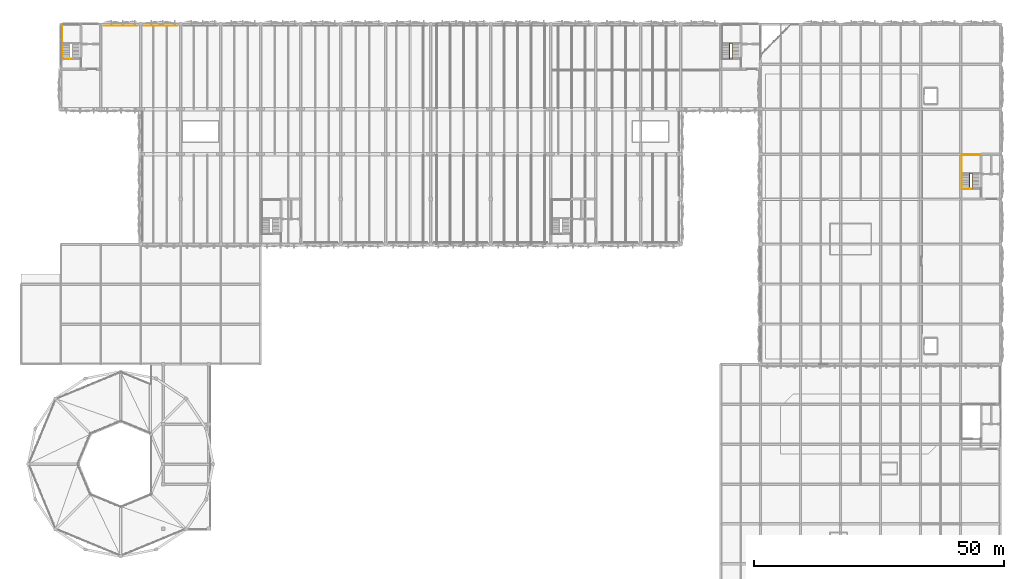
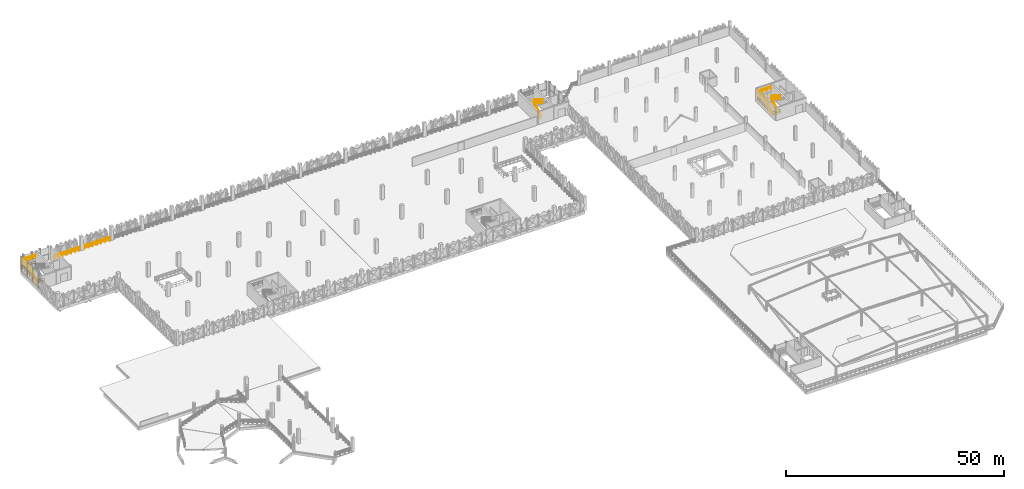
# One storey, part 74 of 76: 8 railings.
"""IFC4 building model written with IfcOpenShell, lengths in metres."""

from ifc_helpers import new_model, si_unit, derived_unit, direction, frame, origin, origin_2d, place, context, subcontext, project, spatial, circle, extrude, material, type_object, element, save


model = new_model("IFC4")

# Units and contexts
model_context = context("Model", 3, precision=1e-05, world=origin(), true_north=direction((0.0, 1.0)))
body_context = subcontext(model_context, "Body", "Model", "MODEL_VIEW")
ifc_project = project(units=[si_unit("LENGTHUNIT", "METRE"), si_unit("AREAUNIT", "SQUARE_METRE"), si_unit("VOLUMEUNIT", "CUBIC_METRE"), si_unit("PLANEANGLEUNIT", "RADIAN"), si_unit("MASSUNIT", "GRAM", prefix="KILO"), si_unit("THERMODYNAMICTEMPERATUREUNIT", "KELVIN"), derived_unit("THERMALTRANSMITTANCEUNIT", [(si_unit("POWERUNIT", "WATT"), 1), (si_unit("AREAUNIT", "SQUARE_METRE"), -1), (si_unit("THERMODYNAMICTEMPERATUREUNIT", "KELVIN"), -1)])], contexts=[model_context])

# Site, building, storey
site_placement = place(None, origin())
site = spatial("IfcSite", under=ifc_project, at=site_placement, CompositionType="ELEMENT")
building_placement = place(site_placement, origin())
building = spatial("IfcBuilding", under=site, at=building_placement, Name="Haiyu Intermodal Mobility Hub", CompositionType="ELEMENT")
storey_placement = place(building_placement, frame((0.0, 0.0, 17.300048828125)))
storey = spatial("IfcBuildingStorey", under=building, at=storey_placement, Name="L04", CompositionType="ELEMENT", Elevation=17.300048828125)

# Railings
ifc_material = material(Name="Steel Q355C", Category="steel")
railing_type_1 = type_object("IfcRailingType", Name="RAL-GR01", PredefinedType="GUARDRAIL", material=ifc_material)
railing_1_placement = place(storey_placement, frame((37.300048828125, 147.659912109375, 0.0)))
element("IfcRailing", 1, at=railing_1_placement, inside=storey, type_object=railing_type_1, Name="RAL-CAR-N-0012", PredefinedType="GUARDRAIL", context=body_context, shape_type="SweptSolid", body=[
    extrude(circle(Radius=0.02392578125, at=origin_2d()), frame((-0.030029296875, 0.0, 1.17578125), z_axis=(-1.0, 0.0, 0.0), x_axis=(0.0, -1.0, 0.0)), (0.0, 0.0, 1.0), 6.5400390625),
    extrude(circle(Radius=0.02392578125, at=origin_2d()), frame((-0.037353515625, 0.0, 0.60009765625), z_axis=(-1.0, 0.0, 0.0), x_axis=(0.0, -1.0, 0.0)), (0.0, 0.0, 1.0), 1.025390625),
    extrude(circle(Radius=0.02392578125, at=origin_2d()), frame((-1.13720703125, 0.0, 0.60009765625), z_axis=(-1.0, 0.0, 0.0), x_axis=(0.0, -1.0, 0.0)), (0.0, 0.0, 1.0), 1.025390625),
    extrude(circle(Radius=0.02392578125, at=origin_2d()), frame((-2.2373046875, 0.0, 0.60009765625), z_axis=(-1.0, 0.0, 0.0), x_axis=(0.0, -1.0, 0.0)), (0.0, 0.0, 1.0), 1.025390625),
    extrude(circle(Radius=0.02392578125, at=origin_2d()), frame((-3.33740234375, 0.0, 0.60009765625), z_axis=(-1.0, 0.0, 0.0), x_axis=(0.0, -1.0, 0.0)), (0.0, 0.0, 1.0), 1.025390625),
    extrude(circle(Radius=0.02392578125, at=origin_2d()), frame((-4.437255859375, 0.0, 0.60009765625), z_axis=(-1.0, 0.0, 0.0), x_axis=(0.0, -1.0, 0.0)), (0.0, 0.0, 1.0), 1.025390625),
    extrude(circle(Radius=0.02392578125, at=origin_2d()), frame((-5.537353515625, 0.0, 0.60009765625), z_axis=(-1.0, 0.0, 0.0), x_axis=(0.0, -1.0, 0.0)), (0.0, 0.0, 1.0), 1.025390625),
    extrude(circle(Radius=0.02099609375, at=origin_2d()), origin(), (0.0, 0.0, 1.0), 1.143798828125),
    extrude(circle(Radius=0.02099609375, at=origin_2d()), frame((-1.10009765625, 0.0, 0.0)), (0.0, 0.0, 1.0), 1.143798828125),
    extrude(circle(Radius=0.02099609375, at=origin_2d()), frame((-2.199951171875, 0.0, 0.0)), (0.0, 0.0, 1.0), 1.143798828125),
    extrude(circle(Radius=0.02099609375, at=origin_2d()), frame((-3.300048828125, 0.0, 0.0)), (0.0, 0.0, 1.0), 1.143798828125),
    extrude(circle(Radius=0.02099609375, at=origin_2d()), frame((-4.400146484375, 0.0, 0.0)), (0.0, 0.0, 1.0), 1.143798828125),
    extrude(circle(Radius=0.02099609375, at=origin_2d()), frame((-5.5, 0.0, 0.0)), (0.0, 0.0, 1.0), 1.143798828125),
    extrude(circle(Radius=0.02099609375, at=origin_2d()), frame((-6.60009765625, 0.0, 0.0)), (0.0, 0.0, 1.0), 1.143798828125),
])
railing_2_placement = place(storey_placement, frame((45.300048828125, 147.659912109375, 0.0)))
element("IfcRailing", 2, at=railing_2_placement, inside=storey, type_object=railing_type_1, Name="RAL-CAR-N-0017", PredefinedType="GUARDRAIL", context=body_context, shape_type="SweptSolid", body=[
    extrude(circle(Radius=0.02392578125, at=origin_2d()), frame((-0.030029296875, 0.0, 1.17578125), z_axis=(-1.0, 0.0, 0.0), x_axis=(0.0, -1.0, 0.0)), (0.0, 0.0, 1.0), 6.5400390625),
    extrude(circle(Radius=0.02392578125, at=origin_2d()), frame((-0.037353515625, 0.0, 0.60009765625), z_axis=(-1.0, 0.0, 0.0), x_axis=(0.0, -1.0, 0.0)), (0.0, 0.0, 1.0), 1.025390625),
    extrude(circle(Radius=0.02392578125, at=origin_2d()), frame((-1.13720703125, 0.0, 0.60009765625), z_axis=(-1.0, 0.0, 0.0), x_axis=(0.0, -1.0, 0.0)), (0.0, 0.0, 1.0), 1.025390625),
    extrude(circle(Radius=0.02392578125, at=origin_2d()), frame((-2.2373046875, 0.0, 0.60009765625), z_axis=(-1.0, 0.0, 0.0), x_axis=(0.0, -1.0, 0.0)), (0.0, 0.0, 1.0), 1.025390625),
    extrude(circle(Radius=0.02392578125, at=origin_2d()), frame((-3.33740234375, 0.0, 0.60009765625), z_axis=(-1.0, 0.0, 0.0), x_axis=(0.0, -1.0, 0.0)), (0.0, 0.0, 1.0), 1.025390625),
    extrude(circle(Radius=0.02392578125, at=origin_2d()), frame((-4.437255859375, 0.0, 0.60009765625), z_axis=(-1.0, 0.0, 0.0), x_axis=(0.0, -1.0, 0.0)), (0.0, 0.0, 1.0), 1.025390625),
    extrude(circle(Radius=0.02392578125, at=origin_2d()), frame((-5.537353515625, 0.0, 0.60009765625), z_axis=(-1.0, 0.0, 0.0), x_axis=(0.0, -1.0, 0.0)), (0.0, 0.0, 1.0), 1.025390625),
    extrude(circle(Radius=0.02099609375, at=origin_2d()), origin(), (0.0, 0.0, 1.0), 1.143798828125),
    extrude(circle(Radius=0.02099609375, at=origin_2d()), frame((-1.10009765625, 0.0, 0.0)), (0.0, 0.0, 1.0), 1.143798828125),
    extrude(circle(Radius=0.02099609375, at=origin_2d()), frame((-2.199951171875, 0.0, 0.0)), (0.0, 0.0, 1.0), 1.143798828125),
    extrude(circle(Radius=0.02099609375, at=origin_2d()), frame((-3.300048828125, 0.0, 0.0)), (0.0, 0.0, 1.0), 1.143798828125),
    extrude(circle(Radius=0.02099609375, at=origin_2d()), frame((-4.400146484375, 0.0, 0.0)), (0.0, 0.0, 1.0), 1.143798828125),
    extrude(circle(Radius=0.02099609375, at=origin_2d()), frame((-5.5, 0.0, 0.0)), (0.0, 0.0, 1.0), 1.143798828125),
    extrude(circle(Radius=0.02099609375, at=origin_2d()), frame((-6.60009765625, 0.0, 0.0)), (0.0, 0.0, 1.0), 1.143798828125),
])
railing_type_2 = type_object("IfcRailingType", Name="RAL-GR03", PredefinedType="GUARDRAIL", material=ifc_material)
railing_3_placement = place(storey_placement, frame((24.31005859375, 141.010009765625, 0.0)))
element("IfcRailing", 3, at=railing_3_placement, inside=storey, type_object=railing_type_2, Name="Stair Shaft Floor Guard STR-C3-L03", PredefinedType="GUARDRAIL", context=body_context, shape_type="SweptSolid", body=[
    extrude(circle(Radius=0.02392578125, at=origin_2d()), frame((-0.030029296875, 0.0, 1.09619140625), z_axis=(-1.0, 0.0, 0.0), x_axis=(0.0, -1.0, 0.0)), (0.0, 0.0, 1.0), 2.030029296875),
    extrude(circle(Radius=0.02392578125, at=origin_2d()), frame((-0.037353515625, 0.0, 0.56005859375), z_axis=(-1.0, 0.0, 0.0), x_axis=(0.0, -1.0, 0.0)), (0.0, 0.0, 1.0), 0.970458984375),
    extrude(circle(Radius=0.02392578125, at=origin_2d()), frame((-1.082275390625, 0.0, 0.56005859375), z_axis=(-1.0, 0.0, 0.0), x_axis=(0.0, -1.0, 0.0)), (0.0, 0.0, 1.0), 0.970458984375),
    extrude(circle(Radius=0.02392578125, at=origin_2d()), frame((-2.090087890625, 0.030029296875, 1.09619140625), z_axis=(0.0, 1.0, 0.0), x_axis=(-1.0, 0.0, 0.0)), (0.0, 0.0, 1.0), 6.8798828125),
    extrude(circle(Radius=0.02392578125, at=origin_2d()), frame((-2.090087890625, 0.037353515625, 0.56005859375), z_axis=(0.0, 1.0, 0.0), x_axis=(-1.0, 0.0, 0.0)), (0.0, 0.0, 1.0), 1.08203125),
    extrude(circle(Radius=0.02392578125, at=origin_2d()), frame((-2.090087890625, 1.19384765625, 0.56005859375), z_axis=(0.0, 1.0, 0.0), x_axis=(-1.0, 0.0, 0.0)), (0.0, 0.0, 1.0), 1.08203125),
    extrude(circle(Radius=0.02392578125, at=origin_2d()), frame((-2.090087890625, 2.3505859375, 0.56005859375), z_axis=(0.0, 1.0, 0.0), x_axis=(-1.0, 0.0, 0.0)), (0.0, 0.0, 1.0), 1.08203125),
    extrude(circle(Radius=0.02392578125, at=origin_2d()), frame((-2.090087890625, 3.50732421875, 0.56005859375), z_axis=(0.0, 1.0, 0.0), x_axis=(-1.0, 0.0, 0.0)), (0.0, 0.0, 1.0), 1.08203125),
    extrude(circle(Radius=0.02392578125, at=origin_2d()), frame((-2.090087890625, 4.663818359375, 0.56005859375), z_axis=(0.0, 1.0, 0.0), x_axis=(-1.0, 0.0, 0.0)), (0.0, 0.0, 1.0), 1.08203125),
    extrude(circle(Radius=0.02392578125, at=origin_2d()), frame((-2.090087890625, 5.820556640625, 0.56005859375), z_axis=(0.0, 1.0, 0.0), x_axis=(-1.0, 0.0, 0.0)), (0.0, 0.0, 1.0), 1.08203125),
    extrude(circle(Radius=0.02392578125, at=origin_2d()), frame((-2.06005859375, 6.93994140625, 1.09619140625), z_axis=(1.0, 0.0, 0.0), x_axis=(0.0, 1.0, 0.0)), (0.0, 0.0, 1.0), 3.590087890625),
    extrude(circle(Radius=0.02392578125, at=origin_2d()), frame((-2.052734375, 6.93994140625, 0.56005859375), z_axis=(1.0, 0.0, 0.0), x_axis=(0.0, 1.0, 0.0)), (0.0, 0.0, 1.0), 0.837890625),
    extrude(circle(Radius=0.02392578125, at=origin_2d()), frame((-1.14013671875, 6.93994140625, 0.56005859375), z_axis=(1.0, 0.0, 0.0), x_axis=(0.0, 1.0, 0.0)), (0.0, 0.0, 1.0), 0.837890625),
    extrude(circle(Radius=0.02392578125, at=origin_2d()), frame((-0.227783203125, 6.93994140625, 0.56005859375), z_axis=(1.0, 0.0, 0.0), x_axis=(0.0, 1.0, 0.0)), (0.0, 0.0, 1.0), 0.837890625),
    extrude(circle(Radius=0.02392578125, at=origin_2d()), frame((0.684814453125, 6.93994140625, 0.56005859375), z_axis=(1.0, 0.0, 0.0), x_axis=(0.0, 1.0, 0.0)), (0.0, 0.0, 1.0), 0.837890625),
    extrude(circle(Radius=0.02099609375, at=origin_2d()), origin(), (0.0, 0.0, 1.0), 1.06396484375),
    extrude(circle(Radius=0.02099609375, at=origin_2d()), frame((-1.044921875, 0.0, 0.0)), (0.0, 0.0, 1.0), 1.06396484375),
    extrude(circle(Radius=0.02099609375, at=origin_2d()), frame((-2.090087890625, 0.0, 0.0)), (0.0, 0.0, 1.0), 1.06396484375),
    extrude(circle(Radius=0.02099609375, at=origin_2d()), frame((-2.090087890625, 1.15673828125, 0.0)), (0.0, 0.0, 1.0), 1.06396484375),
    extrude(circle(Radius=0.02099609375, at=origin_2d()), frame((-2.090087890625, 2.313232421875, 0.0)), (0.0, 0.0, 1.0), 1.06396484375),
    extrude(circle(Radius=0.02099609375, at=origin_2d()), frame((-2.090087890625, 3.469970703125, 0.0)), (0.0, 0.0, 1.0), 1.06396484375),
    extrude(circle(Radius=0.02099609375, at=origin_2d()), frame((-2.090087890625, 4.626708984375, 0.0)), (0.0, 0.0, 1.0), 1.06396484375),
    extrude(circle(Radius=0.02099609375, at=origin_2d()), frame((-2.090087890625, 5.783203125, 0.0)), (0.0, 0.0, 1.0), 1.06396484375),
    extrude(circle(Radius=0.02099609375, at=origin_2d()), frame((-2.090087890625, 6.93994140625, 0.0)), (0.0, 0.0, 1.0), 1.06396484375),
    extrude(circle(Radius=0.02099609375, at=origin_2d()), frame((-1.177490234375, 6.93994140625, 0.0)), (0.0, 0.0, 1.0), 1.06396484375),
    extrude(circle(Radius=0.02099609375, at=origin_2d()), frame((-0.26513671875, 6.93994140625, 0.0)), (0.0, 0.0, 1.0), 1.06396484375),
    extrude(circle(Radius=0.02099609375, at=origin_2d()), frame((0.6474609375, 6.93994140625, 0.0)), (0.0, 0.0, 1.0), 1.06396484375),
    extrude(circle(Radius=0.02099609375, at=origin_2d()), frame((1.56005859375, 6.93994140625, 0.0)), (0.0, 0.0, 1.0), 1.06396484375),
])
railing_4_placement = place(storey_placement, frame((22.25, 141.050048828125, 0.0)))
element("IfcRailing", 4, at=railing_4_placement, inside=storey, type_object=railing_type_2, Name="Stair Outer Guard STR-C3-L04", PredefinedType="GUARDRAIL", context=body_context, shape_type="SweptSolid", body=[
    extrude(circle(Radius=0.02392578125, at=origin_2d()), frame((0.0, 0.025390625, 1.112060546875), z_axis=(0.0, 0.844894753029, 0.534932571736), x_axis=(-1.0, 0.0, 0.0)), (0.0, 0.0, 1.0), 3.585205078125),
    extrude(circle(Radius=0.02392578125, at=origin_2d()), frame((0.0, 0.031494140625, 0.580078125), z_axis=(0.0, 0.844894753029, 0.534932571736), x_axis=(-1.0, 0.0, 0.0)), (0.0, 0.0, 1.0), 0.836669921875),
    extrude(circle(Radius=0.02392578125, at=origin_2d()), frame((0.0, 0.801513671875, 1.0673828125), z_axis=(0.0, 0.844894753029, 0.534932571736), x_axis=(-1.0, 0.0, 0.0)), (0.0, 0.0, 1.0), 0.836669921875),
    extrude(circle(Radius=0.02392578125, at=origin_2d()), frame((0.0, 1.571533203125, 1.554931640625), z_axis=(0.0, 0.844894753029, 0.534932571736), x_axis=(-1.0, 0.0, 0.0)), (0.0, 0.0, 1.0), 0.836669921875),
    extrude(circle(Radius=0.02392578125, at=origin_2d()), frame((0.0, 2.34130859375, 2.04248046875), z_axis=(0.0, 0.844894753029, 0.534932571736), x_axis=(-1.0, 0.0, 0.0)), (0.0, 0.0, 1.0), 0.836669921875),
    extrude(circle(Radius=0.02392578125, at=origin_2d()), frame((0.0, 3.10986328125, 3.0458984375), z_axis=(0.0, 1.0, 0.0), x_axis=(-1.0, 0.0, 0.0)), (0.0, 0.0, 1.0), 3.570068359375),
    extrude(circle(Radius=0.02392578125, at=origin_2d()), frame((0.0, 3.1171875, 2.510009765625), z_axis=(0.0, 1.0, 0.0), x_axis=(-1.0, 0.0, 0.0)), (0.0, 0.0, 1.0), 0.8330078125),
    extrude(circle(Radius=0.02392578125, at=origin_2d()), frame((0.0, 4.024658203125, 2.510009765625), z_axis=(0.0, 1.0, 0.0), x_axis=(-1.0, 0.0, 0.0)), (0.0, 0.0, 1.0), 0.8330078125),
    extrude(circle(Radius=0.02392578125, at=origin_2d()), frame((0.0, 4.93212890625, 2.510009765625), z_axis=(0.0, 1.0, 0.0), x_axis=(-1.0, 0.0, 0.0)), (0.0, 0.0, 1.0), 0.8330078125),
    extrude(circle(Radius=0.02392578125, at=origin_2d()), frame((0.0, 5.83984375, 2.510009765625), z_axis=(0.0, 1.0, 0.0), x_axis=(-1.0, 0.0, 0.0)), (0.0, 0.0, 1.0), 0.8330078125),
    extrude(circle(Radius=0.02392578125, at=origin_2d()), frame((0.030029296875, 6.7099609375, 3.0458984375), z_axis=(1.0, 0.0, 0.0), x_axis=(0.0, 1.0, 0.0)), (0.0, 0.0, 1.0), 3.52001953125),
    extrude(circle(Radius=0.02392578125, at=origin_2d()), frame((0.037353515625, 6.7099609375, 2.510009765625), z_axis=(1.0, 0.0, 0.0), x_axis=(0.0, 1.0, 0.0)), (0.0, 0.0, 1.0), 1.11865234375),
    extrude(circle(Radius=0.02392578125, at=origin_2d()), frame((1.230712890625, 6.7099609375, 2.510009765625), z_axis=(1.0, 0.0, 0.0), x_axis=(0.0, 1.0, 0.0)), (0.0, 0.0, 1.0), 1.11865234375),
    extrude(circle(Radius=0.02392578125, at=origin_2d()), frame((2.424072265625, 6.7099609375, 2.510009765625), z_axis=(1.0, 0.0, 0.0), x_axis=(0.0, 1.0, 0.0)), (0.0, 0.0, 1.0), 1.11865234375),
    extrude(circle(Radius=0.02099609375, at=origin_2d()), origin(), (0.0, 0.0, 1.0), 1.06396484375),
    extrude(circle(Radius=0.02099609375, at=origin_2d()), frame((0.0, 0.77001953125, 0.487548828125)), (0.0, 0.0, 1.0), 1.06396484375),
    extrude(circle(Radius=0.02099609375, at=origin_2d()), frame((0.0, 1.5400390625, 0.97509765625)), (0.0, 0.0, 1.0), 1.06396484375),
    extrude(circle(Radius=0.02099609375, at=origin_2d()), frame((0.0, 2.309814453125, 1.46240234375)), (0.0, 0.0, 1.0), 1.06396484375),
    extrude(circle(Radius=0.02099609375, at=origin_2d()), frame((0.0, 3.079833984375, 1.949951171875)), (0.0, 0.0, 1.0), 1.06396484375),
    extrude(circle(Radius=0.02099609375, at=origin_2d()), frame((0.0, 3.9873046875, 1.949951171875)), (0.0, 0.0, 1.0), 1.06396484375),
    extrude(circle(Radius=0.02099609375, at=origin_2d()), frame((0.0, 4.89501953125, 1.949951171875)), (0.0, 0.0, 1.0), 1.06396484375),
    extrude(circle(Radius=0.02099609375, at=origin_2d()), frame((0.0, 5.802490234375, 1.949951171875)), (0.0, 0.0, 1.0), 1.06396484375),
    extrude(circle(Radius=0.02099609375, at=origin_2d()), frame((0.0, 6.7099609375, 1.949951171875)), (0.0, 0.0, 1.0), 1.06396484375),
    extrude(circle(Radius=0.02099609375, at=origin_2d()), frame((1.193359375, 6.7099609375, 1.949951171875)), (0.0, 0.0, 1.0), 1.06396484375),
    extrude(circle(Radius=0.02099609375, at=origin_2d()), frame((2.38671875, 6.7099609375, 1.949951171875)), (0.0, 0.0, 1.0), 1.06396484375),
    extrude(circle(Radius=0.02099609375, at=origin_2d()), frame((3.580078125, 6.7099609375, 1.949951171875)), (0.0, 0.0, 1.0), 1.06396484375),
])
railing_5_placement = place(storey_placement, frame((155.780029296875, 141.050048828125, 0.0)))
element("IfcRailing", 5, at=railing_5_placement, inside=storey, type_object=railing_type_2, Name="Stair Well Guard STR-C4-L04", PredefinedType="GUARDRAIL", context=body_context, shape_type="SweptSolid", body=[
    extrude(circle(Radius=0.02392578125, at=origin_2d()), frame((0.0, 0.025390625, 1.11181640625), z_axis=(0.0, 0.848756196164, 0.528784378999), x_axis=(-1.0, 0.0, 0.0)), (0.0, 0.0, 1.0), 3.627685546875),
    extrude(circle(Radius=0.02392578125, at=origin_2d()), frame((0.0, 0.03173828125, 0.579833984375), z_axis=(0.0, 0.848756196164, 0.528784378999), x_axis=(-1.0, 0.0, 0.0)), (0.0, 0.0, 1.0), 0.847412109375),
    extrude(circle(Radius=0.02392578125, at=origin_2d()), frame((0.0, 0.814208984375, 1.0673828125), z_axis=(0.0, 0.848756196164, 0.528784378999), x_axis=(-1.0, 0.0, 0.0)), (0.0, 0.0, 1.0), 0.847412109375),
    extrude(circle(Radius=0.02392578125, at=origin_2d()), frame((0.0, 1.5966796875, 1.5546875), z_axis=(0.0, 0.848756196164, 0.528784378999), x_axis=(-1.0, 0.0, 0.0)), (0.0, 0.0, 1.0), 0.847412109375),
    extrude(circle(Radius=0.02392578125, at=origin_2d()), frame((0.0, 2.379150390625, 2.042236328125), z_axis=(0.0, 0.848756196164, 0.528784378999), x_axis=(-1.0, 0.0, 0.0)), (0.0, 0.0, 1.0), 0.847412109375),
    extrude(circle(Radius=0.02392578125, at=origin_2d()), frame((0.030029296875, 3.1298828125, 3.0458984375), z_axis=(1.0, 0.0, 0.0), x_axis=(0.0, 1.0, 0.0)), (0.0, 0.0, 1.0), 0.469970703125),
    extrude(circle(Radius=0.02392578125, at=origin_2d()), frame((0.037353515625, 3.1298828125, 2.510009765625), z_axis=(1.0, 0.0, 0.0), x_axis=(0.0, 1.0, 0.0)), (0.0, 0.0, 1.0), 0.455322265625),
    extrude(circle(Radius=0.02392578125, at=origin_2d()), frame((0.530029296875, 3.1044921875, 3.061767578125), z_axis=(0.0, -0.848756196164, 0.528784378999), x_axis=(1.0, 0.0, 0.0)), (0.0, 0.0, 1.0), 3.627685546875),
    extrude(circle(Radius=0.02392578125, at=origin_2d()), frame((0.530029296875, 3.09814453125, 2.52978515625), z_axis=(0.0, -0.848756196164, 0.528784378999), x_axis=(1.0, 0.0, 0.0)), (0.0, 0.0, 1.0), 0.847412109375),
    extrude(circle(Radius=0.02392578125, at=origin_2d()), frame((0.530029296875, 2.315673828125, 3.017333984375), z_axis=(0.0, -0.848756196164, 0.528784378999), x_axis=(1.0, 0.0, 0.0)), (0.0, 0.0, 1.0), 0.847412109375),
    extrude(circle(Radius=0.02392578125, at=origin_2d()), frame((0.530029296875, 1.533203125, 3.504638671875), z_axis=(0.0, -0.848756196164, 0.528784378999), x_axis=(1.0, 0.0, 0.0)), (0.0, 0.0, 1.0), 0.847412109375),
    extrude(circle(Radius=0.02392578125, at=origin_2d()), frame((0.530029296875, 0.750732421875, 3.9921875), z_axis=(0.0, -0.848756196164, 0.528784378999), x_axis=(1.0, 0.0, 0.0)), (0.0, 0.0, 1.0), 0.847412109375),
    extrude(circle(Radius=0.02099609375, at=origin_2d()), origin(), (0.0, 0.0, 1.0), 1.06396484375),
    extrude(circle(Radius=0.02099609375, at=origin_2d()), frame((0.0, 0.782470703125, 0.487548828125)), (0.0, 0.0, 1.0), 1.06396484375),
    extrude(circle(Radius=0.02099609375, at=origin_2d()), frame((0.0, 1.56494140625, 0.97509765625)), (0.0, 0.0, 1.0), 1.06396484375),
    extrude(circle(Radius=0.02099609375, at=origin_2d()), frame((0.0, 2.347412109375, 1.46240234375)), (0.0, 0.0, 1.0), 1.06396484375),
    extrude(circle(Radius=0.02099609375, at=origin_2d()), frame((0.0, 3.1298828125, 1.949951171875)), (0.0, 0.0, 1.0), 1.06396484375),
    extrude(circle(Radius=0.02099609375, at=origin_2d()), frame((0.530029296875, 3.1298828125, 1.949951171875)), (0.0, 0.0, 1.0), 1.06396484375),
    extrude(circle(Radius=0.02099609375, at=origin_2d()), frame((0.530029296875, 2.347412109375, 2.4375)), (0.0, 0.0, 1.0), 1.06396484375),
    extrude(circle(Radius=0.02099609375, at=origin_2d()), frame((0.530029296875, 1.56494140625, 2.9248046875)), (0.0, 0.0, 1.0), 1.06396484375),
    extrude(circle(Radius=0.02099609375, at=origin_2d()), frame((0.530029296875, 0.782470703125, 3.412353515625)), (0.0, 0.0, 1.0), 1.06396484375),
    extrude(circle(Radius=0.02099609375, at=origin_2d()), frame((0.530029296875, 0.0, 3.89990234375)), (0.0, 0.0, 1.0), 1.06396484375),
])
railing_6_placement = place(storey_placement, frame((204.31005859375, 115.010009765625, 0.0)))
element("IfcRailing", 6, at=railing_6_placement, inside=storey, type_object=railing_type_2, Name="Stair Shaft Floor Guard STR-C10-L03", PredefinedType="GUARDRAIL", context=body_context, shape_type="SweptSolid", body=[
    extrude(circle(Radius=0.02392578125, at=origin_2d()), frame((-0.030029296875, 0.0, 1.09619140625), z_axis=(-1.0, 0.0, 0.0), x_axis=(0.0, -1.0, 0.0)), (0.0, 0.0, 1.0), 2.030029296875),
    extrude(circle(Radius=0.02392578125, at=origin_2d()), frame((-0.037353515625, 0.0, 0.56005859375), z_axis=(-1.0, 0.0, 0.0), x_axis=(0.0, -1.0, 0.0)), (0.0, 0.0, 1.0), 0.970458984375),
    extrude(circle(Radius=0.02392578125, at=origin_2d()), frame((-1.082275390625, 0.0, 0.56005859375), z_axis=(-1.0, 0.0, 0.0), x_axis=(0.0, -1.0, 0.0)), (0.0, 0.0, 1.0), 0.970458984375),
    extrude(circle(Radius=0.02392578125, at=origin_2d()), frame((-2.090087890625, 0.030029296875, 1.09619140625), z_axis=(0.0, 1.0, 0.0), x_axis=(-1.0, 0.0, 0.0)), (0.0, 0.0, 1.0), 6.8798828125),
    extrude(circle(Radius=0.02392578125, at=origin_2d()), frame((-2.090087890625, 0.037353515625, 0.56005859375), z_axis=(0.0, 1.0, 0.0), x_axis=(-1.0, 0.0, 0.0)), (0.0, 0.0, 1.0), 1.08203125),
    extrude(circle(Radius=0.02392578125, at=origin_2d()), frame((-2.090087890625, 1.19384765625, 0.56005859375), z_axis=(0.0, 1.0, 0.0), x_axis=(-1.0, 0.0, 0.0)), (0.0, 0.0, 1.0), 1.08203125),
    extrude(circle(Radius=0.02392578125, at=origin_2d()), frame((-2.090087890625, 2.3505859375, 0.56005859375), z_axis=(0.0, 1.0, 0.0), x_axis=(-1.0, 0.0, 0.0)), (0.0, 0.0, 1.0), 1.08203125),
    extrude(circle(Radius=0.02392578125, at=origin_2d()), frame((-2.090087890625, 3.50732421875, 0.56005859375), z_axis=(0.0, 1.0, 0.0), x_axis=(-1.0, 0.0, 0.0)), (0.0, 0.0, 1.0), 1.08203125),
    extrude(circle(Radius=0.02392578125, at=origin_2d()), frame((-2.090087890625, 4.663818359375, 0.56005859375), z_axis=(0.0, 1.0, 0.0), x_axis=(-1.0, 0.0, 0.0)), (0.0, 0.0, 1.0), 1.08203125),
    extrude(circle(Radius=0.02392578125, at=origin_2d()), frame((-2.090087890625, 5.820556640625, 0.56005859375), z_axis=(0.0, 1.0, 0.0), x_axis=(-1.0, 0.0, 0.0)), (0.0, 0.0, 1.0), 1.08203125),
    extrude(circle(Radius=0.02392578125, at=origin_2d()), frame((-2.06005859375, 6.93994140625, 1.09619140625), z_axis=(1.0, 0.0, 0.0), x_axis=(0.0, 1.0, 0.0)), (0.0, 0.0, 1.0), 3.590087890625),
    extrude(circle(Radius=0.02392578125, at=origin_2d()), frame((-2.052734375, 6.93994140625, 0.56005859375), z_axis=(1.0, 0.0, 0.0), x_axis=(0.0, 1.0, 0.0)), (0.0, 0.0, 1.0), 0.837890625),
    extrude(circle(Radius=0.02392578125, at=origin_2d()), frame((-1.14013671875, 6.93994140625, 0.56005859375), z_axis=(1.0, 0.0, 0.0), x_axis=(0.0, 1.0, 0.0)), (0.0, 0.0, 1.0), 0.837890625),
    extrude(circle(Radius=0.02392578125, at=origin_2d()), frame((-0.227783203125, 6.93994140625, 0.56005859375), z_axis=(1.0, 0.0, 0.0), x_axis=(0.0, 1.0, 0.0)), (0.0, 0.0, 1.0), 0.837890625),
    extrude(circle(Radius=0.02392578125, at=origin_2d()), frame((0.684814453125, 6.93994140625, 0.56005859375), z_axis=(1.0, 0.0, 0.0), x_axis=(0.0, 1.0, 0.0)), (0.0, 0.0, 1.0), 0.837890625),
    extrude(circle(Radius=0.02099609375, at=origin_2d()), origin(), (0.0, 0.0, 1.0), 1.06396484375),
    extrude(circle(Radius=0.02099609375, at=origin_2d()), frame((-1.044921875, 0.0, 0.0)), (0.0, 0.0, 1.0), 1.06396484375),
    extrude(circle(Radius=0.02099609375, at=origin_2d()), frame((-2.090087890625, 0.0, 0.0)), (0.0, 0.0, 1.0), 1.06396484375),
    extrude(circle(Radius=0.02099609375, at=origin_2d()), frame((-2.090087890625, 1.15673828125, 0.0)), (0.0, 0.0, 1.0), 1.06396484375),
    extrude(circle(Radius=0.02099609375, at=origin_2d()), frame((-2.090087890625, 2.313232421875, 0.0)), (0.0, 0.0, 1.0), 1.06396484375),
    extrude(circle(Radius=0.02099609375, at=origin_2d()), frame((-2.090087890625, 3.469970703125, 0.0)), (0.0, 0.0, 1.0), 1.06396484375),
    extrude(circle(Radius=0.02099609375, at=origin_2d()), frame((-2.090087890625, 4.626708984375, 0.0)), (0.0, 0.0, 1.0), 1.06396484375),
    extrude(circle(Radius=0.02099609375, at=origin_2d()), frame((-2.090087890625, 5.783203125, 0.0)), (0.0, 0.0, 1.0), 1.06396484375),
    extrude(circle(Radius=0.02099609375, at=origin_2d()), frame((-2.090087890625, 6.93994140625, 0.0)), (0.0, 0.0, 1.0), 1.06396484375),
    extrude(circle(Radius=0.02099609375, at=origin_2d()), frame((-1.177490234375, 6.93994140625, 0.0)), (0.0, 0.0, 1.0), 1.06396484375),
    extrude(circle(Radius=0.02099609375, at=origin_2d()), frame((-0.26513671875, 6.93994140625, 0.0)), (0.0, 0.0, 1.0), 1.06396484375),
    extrude(circle(Radius=0.02099609375, at=origin_2d()), frame((0.6474609375, 6.93994140625, 0.0)), (0.0, 0.0, 1.0), 1.06396484375),
    extrude(circle(Radius=0.02099609375, at=origin_2d()), frame((1.56005859375, 6.93994140625, 0.0)), (0.0, 0.0, 1.0), 1.06396484375),
])
railing_7_placement = place(storey_placement, frame((203.780029296875, 115.050048828125, 0.0)))
element("IfcRailing", 7, at=railing_7_placement, inside=storey, type_object=railing_type_2, Name="Stair Well Guard STR-C10-L04", PredefinedType="GUARDRAIL", context=body_context, shape_type="SweptSolid", body=[
    extrude(circle(Radius=0.02392578125, at=origin_2d()), frame((0.0, 0.025390625, 1.11181640625), z_axis=(0.0, 0.848756196164, 0.528784378999), x_axis=(-1.0, 0.0, 0.0)), (0.0, 0.0, 1.0), 3.627685546875),
    extrude(circle(Radius=0.02392578125, at=origin_2d()), frame((0.0, 0.03173828125, 0.579833984375), z_axis=(0.0, 0.848756196164, 0.528784378999), x_axis=(-1.0, 0.0, 0.0)), (0.0, 0.0, 1.0), 0.847412109375),
    extrude(circle(Radius=0.02392578125, at=origin_2d()), frame((0.0, 0.814208984375, 1.0673828125), z_axis=(0.0, 0.848756196164, 0.528784378999), x_axis=(-1.0, 0.0, 0.0)), (0.0, 0.0, 1.0), 0.847412109375),
    extrude(circle(Radius=0.02392578125, at=origin_2d()), frame((0.0, 1.5966796875, 1.5546875), z_axis=(0.0, 0.848756196164, 0.528784378999), x_axis=(-1.0, 0.0, 0.0)), (0.0, 0.0, 1.0), 0.847412109375),
    extrude(circle(Radius=0.02392578125, at=origin_2d()), frame((0.0, 2.379150390625, 2.042236328125), z_axis=(0.0, 0.848756196164, 0.528784378999), x_axis=(-1.0, 0.0, 0.0)), (0.0, 0.0, 1.0), 0.847412109375),
    extrude(circle(Radius=0.02392578125, at=origin_2d()), frame((0.030029296875, 3.1298828125, 3.0458984375), z_axis=(1.0, 0.0, 0.0), x_axis=(0.0, 1.0, 0.0)), (0.0, 0.0, 1.0), 0.469970703125),
    extrude(circle(Radius=0.02392578125, at=origin_2d()), frame((0.037353515625, 3.1298828125, 2.510009765625), z_axis=(1.0, 0.0, 0.0), x_axis=(0.0, 1.0, 0.0)), (0.0, 0.0, 1.0), 0.455322265625),
    extrude(circle(Radius=0.02392578125, at=origin_2d()), frame((0.530029296875, 3.1044921875, 3.061767578125), z_axis=(0.0, -0.848756196164, 0.528784378999), x_axis=(1.0, 0.0, 0.0)), (0.0, 0.0, 1.0), 3.627685546875),
    extrude(circle(Radius=0.02392578125, at=origin_2d()), frame((0.530029296875, 3.09814453125, 2.52978515625), z_axis=(0.0, -0.848756196164, 0.528784378999), x_axis=(1.0, 0.0, 0.0)), (0.0, 0.0, 1.0), 0.847412109375),
    extrude(circle(Radius=0.02392578125, at=origin_2d()), frame((0.530029296875, 2.315673828125, 3.017333984375), z_axis=(0.0, -0.848756196164, 0.528784378999), x_axis=(1.0, 0.0, 0.0)), (0.0, 0.0, 1.0), 0.847412109375),
    extrude(circle(Radius=0.02392578125, at=origin_2d()), frame((0.530029296875, 1.533203125, 3.504638671875), z_axis=(0.0, -0.848756196164, 0.528784378999), x_axis=(1.0, 0.0, 0.0)), (0.0, 0.0, 1.0), 0.847412109375),
    extrude(circle(Radius=0.02392578125, at=origin_2d()), frame((0.530029296875, 0.750732421875, 3.9921875), z_axis=(0.0, -0.848756196164, 0.528784378999), x_axis=(1.0, 0.0, 0.0)), (0.0, 0.0, 1.0), 0.847412109375),
    extrude(circle(Radius=0.02099609375, at=origin_2d()), origin(), (0.0, 0.0, 1.0), 1.06396484375),
    extrude(circle(Radius=0.02099609375, at=origin_2d()), frame((0.0, 0.782470703125, 0.487548828125)), (0.0, 0.0, 1.0), 1.06396484375),
    extrude(circle(Radius=0.02099609375, at=origin_2d()), frame((0.0, 1.56494140625, 0.97509765625)), (0.0, 0.0, 1.0), 1.06396484375),
    extrude(circle(Radius=0.02099609375, at=origin_2d()), frame((0.0, 2.347412109375, 1.46240234375)), (0.0, 0.0, 1.0), 1.06396484375),
    extrude(circle(Radius=0.02099609375, at=origin_2d()), frame((0.0, 3.1298828125, 1.949951171875)), (0.0, 0.0, 1.0), 1.06396484375),
    extrude(circle(Radius=0.02099609375, at=origin_2d()), frame((0.530029296875, 3.1298828125, 1.949951171875)), (0.0, 0.0, 1.0), 1.06396484375),
    extrude(circle(Radius=0.02099609375, at=origin_2d()), frame((0.530029296875, 2.347412109375, 2.4375)), (0.0, 0.0, 1.0), 1.06396484375),
    extrude(circle(Radius=0.02099609375, at=origin_2d()), frame((0.530029296875, 1.56494140625, 2.9248046875)), (0.0, 0.0, 1.0), 1.06396484375),
    extrude(circle(Radius=0.02099609375, at=origin_2d()), frame((0.530029296875, 0.782470703125, 3.412353515625)), (0.0, 0.0, 1.0), 1.06396484375),
    extrude(circle(Radius=0.02099609375, at=origin_2d()), frame((0.530029296875, 0.0, 3.89990234375)), (0.0, 0.0, 1.0), 1.06396484375),
])
railing_8_placement = place(storey_placement, frame((202.25, 115.050048828125, 0.0)))
element("IfcRailing", 8, at=railing_8_placement, inside=storey, type_object=railing_type_2, Name="Stair Outer Guard STR-C10-L04", PredefinedType="GUARDRAIL", context=body_context, shape_type="SweptSolid", body=[
    extrude(circle(Radius=0.02392578125, at=origin_2d()), frame((0.0, 0.025390625, 1.112060546875), z_axis=(0.0, 0.844894753029, 0.534932571736), x_axis=(-1.0, 0.0, 0.0)), (0.0, 0.0, 1.0), 3.585205078125),
    extrude(circle(Radius=0.02392578125, at=origin_2d()), frame((0.0, 0.031494140625, 0.580078125), z_axis=(0.0, 0.844894753029, 0.534932571736), x_axis=(-1.0, 0.0, 0.0)), (0.0, 0.0, 1.0), 0.836669921875),
    extrude(circle(Radius=0.02392578125, at=origin_2d()), frame((0.0, 0.801513671875, 1.0673828125), z_axis=(0.0, 0.844894753029, 0.534932571736), x_axis=(-1.0, 0.0, 0.0)), (0.0, 0.0, 1.0), 0.836669921875),
    extrude(circle(Radius=0.02392578125, at=origin_2d()), frame((0.0, 1.571533203125, 1.554931640625), z_axis=(0.0, 0.844894753029, 0.534932571736), x_axis=(-1.0, 0.0, 0.0)), (0.0, 0.0, 1.0), 0.836669921875),
    extrude(circle(Radius=0.02392578125, at=origin_2d()), frame((0.0, 2.34130859375, 2.04248046875), z_axis=(0.0, 0.844894753029, 0.534932571736), x_axis=(-1.0, 0.0, 0.0)), (0.0, 0.0, 1.0), 0.836669921875),
    extrude(circle(Radius=0.02392578125, at=origin_2d()), frame((0.0, 3.10986328125, 3.0458984375), z_axis=(0.0, 1.0, 0.0), x_axis=(-1.0, 0.0, 0.0)), (0.0, 0.0, 1.0), 3.570068359375),
    extrude(circle(Radius=0.02392578125, at=origin_2d()), frame((0.0, 3.1171875, 2.510009765625), z_axis=(0.0, 1.0, 0.0), x_axis=(-1.0, 0.0, 0.0)), (0.0, 0.0, 1.0), 0.8330078125),
    extrude(circle(Radius=0.02392578125, at=origin_2d()), frame((0.0, 4.024658203125, 2.510009765625), z_axis=(0.0, 1.0, 0.0), x_axis=(-1.0, 0.0, 0.0)), (0.0, 0.0, 1.0), 0.8330078125),
    extrude(circle(Radius=0.02392578125, at=origin_2d()), frame((0.0, 4.93212890625, 2.510009765625), z_axis=(0.0, 1.0, 0.0), x_axis=(-1.0, 0.0, 0.0)), (0.0, 0.0, 1.0), 0.8330078125),
    extrude(circle(Radius=0.02392578125, at=origin_2d()), frame((0.0, 5.83984375, 2.510009765625), z_axis=(0.0, 1.0, 0.0), x_axis=(-1.0, 0.0, 0.0)), (0.0, 0.0, 1.0), 0.8330078125),
    extrude(circle(Radius=0.02392578125, at=origin_2d()), frame((0.030029296875, 6.7099609375, 3.0458984375), z_axis=(1.0, 0.0, 0.0), x_axis=(0.0, 1.0, 0.0)), (0.0, 0.0, 1.0), 3.52001953125),
    extrude(circle(Radius=0.02392578125, at=origin_2d()), frame((0.037353515625, 6.7099609375, 2.510009765625), z_axis=(1.0, 0.0, 0.0), x_axis=(0.0, 1.0, 0.0)), (0.0, 0.0, 1.0), 1.11865234375),
    extrude(circle(Radius=0.02392578125, at=origin_2d()), frame((1.230712890625, 6.7099609375, 2.510009765625), z_axis=(1.0, 0.0, 0.0), x_axis=(0.0, 1.0, 0.0)), (0.0, 0.0, 1.0), 1.11865234375),
    extrude(circle(Radius=0.02392578125, at=origin_2d()), frame((2.424072265625, 6.7099609375, 2.510009765625), z_axis=(1.0, 0.0, 0.0), x_axis=(0.0, 1.0, 0.0)), (0.0, 0.0, 1.0), 1.11865234375),
    extrude(circle(Radius=0.02099609375, at=origin_2d()), origin(), (0.0, 0.0, 1.0), 1.06396484375),
    extrude(circle(Radius=0.02099609375, at=origin_2d()), frame((0.0, 0.77001953125, 0.487548828125)), (0.0, 0.0, 1.0), 1.06396484375),
    extrude(circle(Radius=0.02099609375, at=origin_2d()), frame((0.0, 1.5400390625, 0.97509765625)), (0.0, 0.0, 1.0), 1.06396484375),
    extrude(circle(Radius=0.02099609375, at=origin_2d()), frame((0.0, 2.309814453125, 1.46240234375)), (0.0, 0.0, 1.0), 1.06396484375),
    extrude(circle(Radius=0.02099609375, at=origin_2d()), frame((0.0, 3.079833984375, 1.949951171875)), (0.0, 0.0, 1.0), 1.06396484375),
    extrude(circle(Radius=0.02099609375, at=origin_2d()), frame((0.0, 3.9873046875, 1.949951171875)), (0.0, 0.0, 1.0), 1.06396484375),
    extrude(circle(Radius=0.02099609375, at=origin_2d()), frame((0.0, 4.89501953125, 1.949951171875)), (0.0, 0.0, 1.0), 1.06396484375),
    extrude(circle(Radius=0.02099609375, at=origin_2d()), frame((0.0, 5.802490234375, 1.949951171875)), (0.0, 0.0, 1.0), 1.06396484375),
    extrude(circle(Radius=0.02099609375, at=origin_2d()), frame((0.0, 6.7099609375, 1.949951171875)), (0.0, 0.0, 1.0), 1.06396484375),
    extrude(circle(Radius=0.02099609375, at=origin_2d()), frame((1.193359375, 6.7099609375, 1.949951171875)), (0.0, 0.0, 1.0), 1.06396484375),
    extrude(circle(Radius=0.02099609375, at=origin_2d()), frame((2.38671875, 6.7099609375, 1.949951171875)), (0.0, 0.0, 1.0), 1.06396484375),
    extrude(circle(Radius=0.02099609375, at=origin_2d()), frame((3.580078125, 6.7099609375, 1.949951171875)), (0.0, 0.0, 1.0), 1.06396484375),
])

save(model, "model.ifc")
